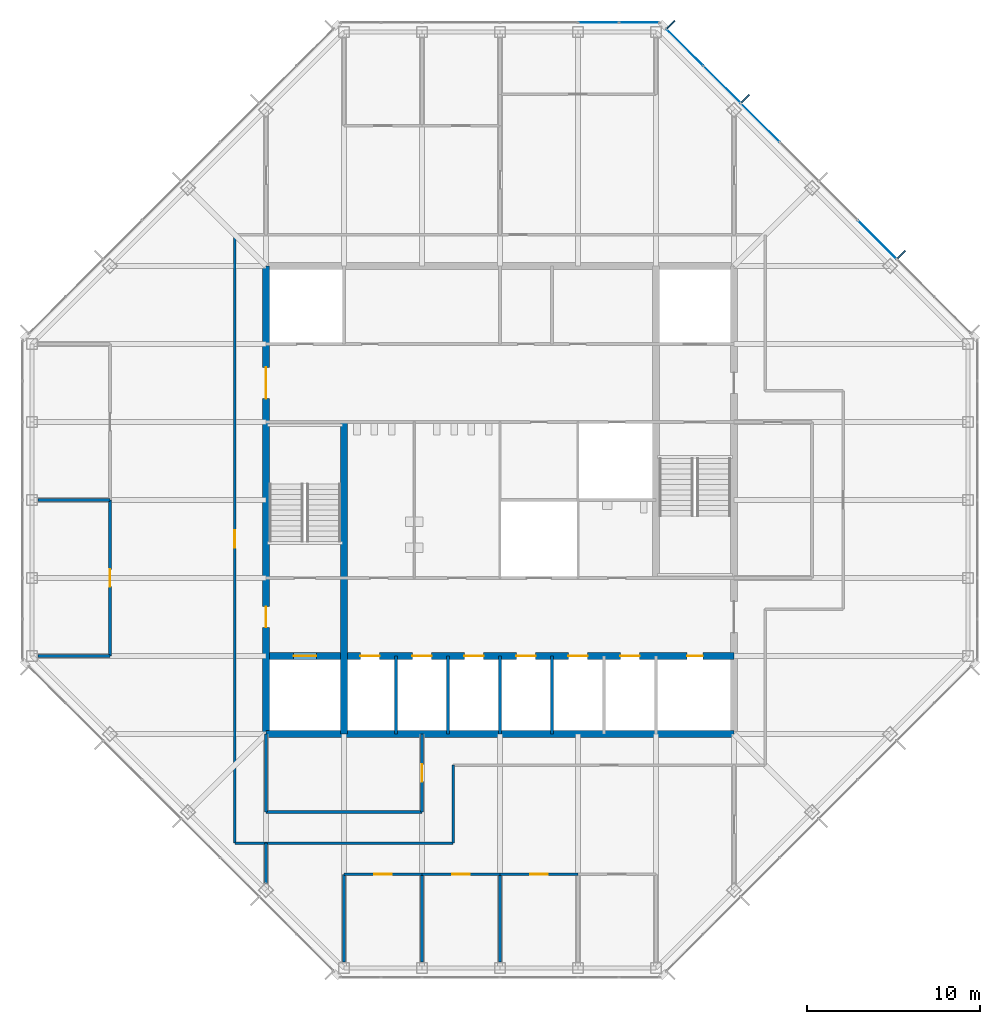
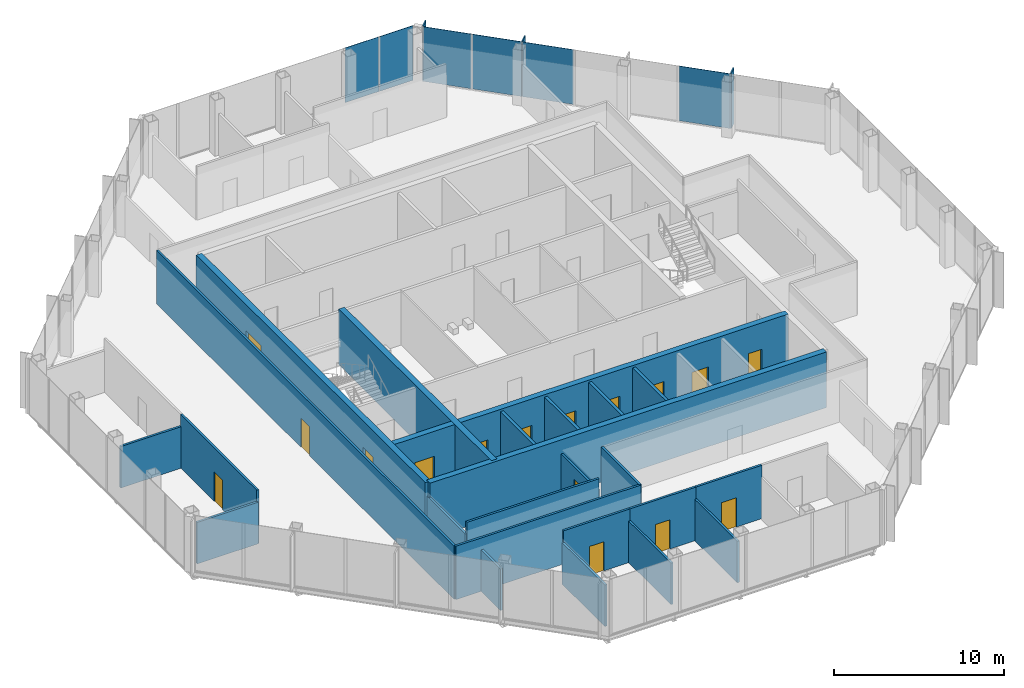
# One storey, part 9 of 13: 24 walls, 16 doors, 9 plates, 16 openings, 2 elements without a shape of their own.
"""IFC4 building model written with IfcOpenShell, lengths in metres."""

from ifc_helpers import new_model, si_unit, direction, frame, frame_2d, origin, origin_2d, place, context, subcontext, project, spatial, rectangle, extrude, material, layer, layer_set, type_object, element, fill, aggregate, save


model = new_model("IFC4")

# Units and contexts
model_context = context("Model", 3, precision=1e-05, world=origin(), true_north=direction((0.0, 1.0)))
body_context = subcontext(model_context, "Body", "Model", "MODEL_VIEW")
ifc_project = project(units=[si_unit("LENGTHUNIT", "METRE"), si_unit("AREAUNIT", "SQUARE_METRE"), si_unit("VOLUMEUNIT", "CUBIC_METRE"), si_unit("PLANEANGLEUNIT", "RADIAN"), si_unit("MASSUNIT", "GRAM", prefix="KILO")], contexts=[model_context])

# Site, building, storey
site_placement = place(None, origin())
site = spatial("IfcSite", under=ifc_project, at=site_placement, CompositionType="ELEMENT")
building_placement = place(site_placement, origin())
building = spatial("IfcBuilding", under=site, at=building_placement, Name="Corais Broadcast Tower", CompositionType="ELEMENT")
storey_placement = place(building_placement, frame((0.0, 0.0, 222.60009765625)))
storey = spatial("IfcBuildingStorey", under=building, at=storey_placement, Name="L51", CompositionType="ELEMENT", Elevation=222.60009765625)

# Curtain wall, plate
ifc_material_1 = material(Name="Aluminium and glass", Category="aluminium")
curtain_wall_type = type_object("IfcCurtainWallType", Name="Unitised fritted curtain wall CW3", PredefinedType="NOTDEFINED", material=ifc_material_1)
curtain_wall_1_placement = place(storey_placement, origin())
curtain_wall_1 = element("IfcCurtainWall", 1, at=curtain_wall_1_placement, inside=storey, type_object=curtain_wall_type, Name="CW3 curtain wall L51 4", PredefinedType="NOTDEFINED")
ifc_material_2 = material(Name="Ceramic-fritted laminated glass", Category="glass")
ifc_layer_1 = layer(ifc_material_2, 0.02587890625)
ifc_layer_set_1 = layer_set([ifc_layer_1], Name="Ceramic-fritted laminated glass")
plate_type_1 = type_object("IfcPlateType", Name="Fritted glass panel CW3", PredefinedType="CURTAIN_PANEL", material=ifc_layer_set_1)
plate_1_placement = place(storey_placement, frame((32.681884765625, 54.550048828125, 0.06494140625), z_axis=(0.0, 0.0, 1.0), x_axis=(1.0, 0.0, 0.0)))
plate_1 = element("IfcPlate", 2, at=plate_1_placement, type_object=plate_type_1, Name="CW3 panel 5", PredefinedType="CURTAIN_PANEL", context=body_context, shape_type="SweptSolid", body=[
    extrude(rectangle(XDim=2.298828125, YDim=0.02587890625, at=origin_2d()), origin(), (0.0, 0.0, 1.0), 3.93505859375),
])

# Curtain wall, plates
curtain_wall_2_placement = place(storey_placement, origin())
curtain_wall_2 = element("IfcCurtainWall", 3, at=curtain_wall_2_placement, inside=storey, type_object=curtain_wall_type, Name="CW3 curtain wall L51 5", PredefinedType="NOTDEFINED")
plate_2_placement = place(storey_placement, frame((37.669677734375, 53.108154296875, 0.06494140625), z_axis=(0.0, 0.0, 1.0), x_axis=(0.707106781187, -0.707106781187, 0.0)))
plate_2 = element("IfcPlate", 4, at=plate_2_placement, type_object=plate_type_1, Name="CW3 panel 1", PredefinedType="CURTAIN_PANEL", context=body_context, shape_type="SweptSolid", body=[
    extrude(rectangle(XDim=2.9482421875, YDim=0.02587890625, at=origin_2d()), origin(), (0.0, 0.0, 1.0), 3.93505859375),
])
plate_3_placement = place(storey_placement, frame((42.013916015625, 48.763916015625, 0.06494140625), z_axis=(0.0, 0.0, 1.0), x_axis=(0.707106781187, -0.707106781187, 0.0)))
plate_3 = element("IfcPlate", 5, at=plate_3_placement, type_object=plate_type_1, Name="CW3 panel 3", PredefinedType="CURTAIN_PANEL", context=body_context, shape_type="SweptSolid", body=[
    extrude(rectangle(XDim=3.116943359375, YDim=0.02587890625, at=origin_2d()), origin(), (0.0, 0.0, 1.0), 3.93505859375),
])

# Plate
ifc_material_3 = material(Name="Clear laminated glass", Category="glass")
ifc_layer_2 = layer(ifc_material_3, 0.030029296875)
ifc_layer_set_2 = layer_set([ifc_layer_2], Name="Clear laminated glass")
plate_type_2 = type_object("IfcPlateType", Name="Operable glass panel CW3", PredefinedType="CURTAIN_PANEL", material=ifc_layer_set_2)
plate_4_placement = place(storey_placement, frame((35.029541015625, 54.550048828125, 0.06494140625), z_axis=(0.0, 0.0, 1.0), x_axis=(1.0, 0.0, 0.0)))
plate_4 = element("IfcPlate", 6, at=plate_4_placement, type_object=plate_type_2, Name="CW3 operable panel 6", PredefinedType="CURTAIN_PANEL", context=body_context, shape_type="SweptSolid", body=[
    extrude(rectangle(XDim=2.266357421875, YDim=0.030029296875, at=origin_2d()), origin(), (0.0, 0.0, 1.0), 3.93505859375),
])

aggregate(curtain_wall_1, [plate_1, plate_4])

plate_5_placement = place(storey_placement, frame((39.81201171875, 50.9658203125, 0.06494140625), z_axis=(0.0, 0.0, 1.0), x_axis=(0.707106781187, -0.707106781187, 0.0)))
plate_5 = element("IfcPlate", 7, at=plate_5_placement, type_object=plate_type_2, Name="CW3 operable panel 2", PredefinedType="CURTAIN_PANEL", context=body_context, shape_type="SweptSolid", body=[
    extrude(rectangle(XDim=2.98095703125, YDim=0.030029296875, at=origin_2d()), origin(), (0.0, 0.0, 1.0), 3.93505859375),
])

plate_6_placement = place(storey_placement, frame((48.763916015625, 42.013916015625, 0.06494140625), z_axis=(0.0, 0.0, 1.0), x_axis=(0.707106781187, -0.707106781187, 0.0)))
plate_6 = element("IfcPlate", 8, at=plate_6_placement, type_object=plate_type_2, Name="CW3 operable panel 6", PredefinedType="CURTAIN_PANEL", context=body_context, shape_type="SweptSolid", body=[
    extrude(rectangle(XDim=3.116943359375, YDim=0.030029296875, at=origin_2d()), origin(), (0.0, 0.0, 1.0), 3.93505859375),
])

aggregate(curtain_wall_2, [plate_2, plate_5, plate_3, plate_6])

# Plates
ifc_material_4 = material(Name="Granite stone cladding", Category="masonry")
ifc_layer_3 = layer(ifc_material_4, 0.080078125)
ifc_layer_set_3 = layer_set([ifc_layer_3], Name="Granite stone cladding")
plate_type_3 = type_object("IfcPlateType", Name="Stone screen fin 80x600", PredefinedType="USERDEFINED", material=ifc_layer_set_3)
for number, where, z_axis, x_axis, name in (
    (9, (36.870849609375, 54.43994140625, 0.0), (0.0, 0.0, 1.0), (0.707106781187, -0.707106781187, 0.0), "SF1 stone screen fin L51"),
    (10, (41.155517578125, 50.155517578125, 0.0), (0.0, 0.0, 1.0), (0.707106781187, -0.707106781187, 0.0), "SF1 stone screen fin L51"),
    (11, (50.155517578125, 41.155517578125, 0.0), (0.0, 0.0, 1.0), (0.707106781187, -0.707106781187, 0.0), "SF1 stone screen fin L51"),
):
    element("IfcPlate", number, at=place(storey_placement, frame(where, z_axis=z_axis, x_axis=x_axis)), inside=storey, type_object=plate_type_3, Name=name, ObjectType="STONE SCREEN FIN", PredefinedType="USERDEFINED", context=body_context, shape_type="SweptSolid", body=[
        extrude(rectangle(XDim=0.080078125, YDim=0.60009765625, at=origin_2d()), origin(), (0.0, 0.0, 1.0), 4.0),
    ])

# Wall
ifc_material_5 = material(Name="Concrete C50/60", Category="concrete")
ifc_layer_4 = layer(ifc_material_5, 0.39990234375)
ifc_layer_set_4 = layer_set([ifc_layer_4], Name="Concrete C50/60")
wall_type_1 = type_object("IfcWallType", Name="Core wall 400", PredefinedType="SHEAR", material=ifc_layer_set_4)
wall_1_placement = place(storey_placement, frame((13.5, 13.5, 0.0), z_axis=(0.0, 0.0, 1.0), x_axis=(1.0, 0.0, 0.0)))
element("IfcWall", 12, at=wall_1_placement, inside=storey, type_object=wall_type_1, Name="CR400 core wall S L51", PredefinedType="SHEAR", context=body_context, shape_type="SweptSolid", body=[
    extrude(rectangle(XDim=27.0, YDim=0.39990234375, at=frame_2d((13.5, 0.0))), origin(), (0.0, 0.0, 1.0), 4.0),
])

# Wall, openings, doors
wall_2_placement = place(storey_placement, frame((13.5, 40.5, 0.0), z_axis=(0.0, 0.0, 1.0), x_axis=(0.0, -1.0, 0.0)))
wall_2 = element("IfcWall", 13, at=wall_2_placement, inside=storey, type_object=wall_type_1, Name="CR400 core wall W L51", PredefinedType="SHEAR", context=body_context, shape_type="SweptSolid", body=[
    extrude(rectangle(XDim=27.0, YDim=0.39990234375, at=frame_2d((13.5, 0.0))), origin(), (0.0, 0.0, 1.0), 4.0),
])
opening_1_placement = place(wall_2_placement, frame((19.64990234375, 0.0, 0.0)))
opening_1 = element("IfcOpeningElement", 14, at=opening_1_placement, cuts=wall_2, Name="Opening FD1", PredefinedType="OPENING", context=body_context, shape_type="SweptSolid", body=[
    extrude(rectangle(XDim=1.199951171875, YDim=2.10009765625, at=frame_2d((0.60009765625, 1.050048828125))), frame((0.0, 0.2099609375, 0.0), z_axis=(0.0, -1.0, 0.0), x_axis=(1.0, 0.0, 0.0)), (0.0, 0.0, 1.0), 0.419921875),
])
opening_2_placement = place(wall_2_placement, frame((5.85009765625, 0.0, 0.0)))
opening_2 = element("IfcOpeningElement", 15, at=opening_2_placement, cuts=wall_2, Name="Opening FD2", PredefinedType="OPENING", context=body_context, shape_type="SweptSolid", body=[
    extrude(rectangle(XDim=1.800048828125, YDim=2.10009765625, at=frame_2d((0.89990234375, 1.050048828125))), frame((0.0, 0.2099609375, 0.0), z_axis=(0.0, -1.0, 0.0), x_axis=(1.0, 0.0, 0.0)), (0.0, 0.0, 1.0), 0.419921875),
])
ifc_material_6 = material(Name="Steel fire door", Category="steel")
door_type_1 = type_object("IfcDoorType", Name="Fire door 1200x2100", OperationType="SINGLE_SWING_LEFT", PredefinedType="DOOR", material=ifc_material_6)
door_1_placement = place(opening_1_placement, origin())
door_1 = element("IfcDoor", 16, at=door_1_placement, inside=storey, type_object=door_type_1, Name="FD1 fire lobby A door L51", OperationType="SINGLE_SWING_RIGHT", OverallHeight=2.10009765625, OverallWidth=1.199951171875, PredefinedType="DOOR", context=body_context, shape_type="SweptSolid", body=[
    extrude(rectangle(XDim=1.199951171875, YDim=2.10009765625, at=frame_2d((0.60009765625, 1.050048828125))), frame((0.0, 0.02490234375, 0.0), z_axis=(0.0, -1.0, 0.0), x_axis=(1.0, 0.0, 0.0)), (0.0, 0.0, 1.0), 0.050048828125),
])
fill(opening_1, door_1)
ifc_material_7 = material(Name="Steel fire door", Category="steel")
door_type_2 = type_object("IfcDoorType", Name="Fire door pair 1800x2100", OperationType="DOUBLE_DOOR_SINGLE_SWING", PredefinedType="DOOR", material=ifc_material_7)
door_2_placement = place(opening_2_placement, origin())
door_2 = element("IfcDoor", 17, at=door_2_placement, inside=storey, type_object=door_type_2, Name="FD2 lift lobby door L51", OperationType="SINGLE_SWING_LEFT", OverallHeight=2.10009765625, OverallWidth=1.800048828125, PredefinedType="DOOR", context=body_context, shape_type="SweptSolid", body=[
    extrude(rectangle(XDim=1.800048828125, YDim=2.10009765625, at=frame_2d((0.89990234375, 1.050048828125))), frame((0.0, 0.02490234375, 0.0), z_axis=(0.0, -1.0, 0.0), x_axis=(1.0, 0.0, 0.0)), (0.0, 0.0, 1.0), 0.050048828125),
])
fill(opening_2, door_2)

# Wall
wall_3_placement = place(storey_placement, frame((18.0, 13.5, 0.0), z_axis=(0.0, 0.0, 1.0), x_axis=(0.0, 1.0, 0.0)))
element("IfcWall", 18, at=wall_3_placement, inside=storey, type_object=wall_type_1, Name="CR400 core wall X18A L51", PredefinedType="SHEAR", context=body_context, shape_type="SweptSolid", body=[
    extrude(rectangle(XDim=18.0, YDim=0.39990234375, at=frame_2d((9.0, 0.0))), origin(), (0.0, 0.0, 1.0), 4.0),
])

# Wall, openings, doors
wall_4_placement = place(storey_placement, frame((13.5, 18.0, 0.0), z_axis=(0.0, 0.0, 1.0), x_axis=(1.0, 0.0, 0.0)))
wall_4 = element("IfcWall", 19, at=wall_4_placement, inside=storey, type_object=wall_type_1, Name="CR400 core wall Y18 L51", PredefinedType="SHEAR", context=body_context, shape_type="SweptSolid", body=[
    extrude(rectangle(XDim=27.0, YDim=0.39990234375, at=frame_2d((13.5, 0.0))), origin(), (0.0, 0.0, 1.0), 4.0),
])
opening_3_placement = place(wall_4_placement, frame((24.300048828125, 0.0, 0.0)))
opening_3 = element("IfcOpeningElement", 20, at=opening_3_placement, cuts=wall_4, Name="Opening RD1", PredefinedType="OPENING", context=body_context, shape_type="SweptSolid", body=[
    extrude(rectangle(XDim=0.89990234375, YDim=2.10009765625, at=frame_2d((0.449951171875, 1.050048828125))), frame((0.0, 0.2099609375, 0.0), z_axis=(0.0, -1.0, 0.0), x_axis=(1.0, 0.0, 0.0)), (0.0, 0.0, 1.0), 0.419921875),
])
opening_4_placement = place(wall_4_placement, frame((5.449951171875, 0.0, 0.0)))
opening_4 = element("IfcOpeningElement", 21, at=opening_4_placement, cuts=wall_4, Name="Opening LD1", PredefinedType="OPENING", context=body_context, shape_type="SweptSolid", body=[
    extrude(rectangle(XDim=1.10009765625, YDim=2.10009765625, at=frame_2d((0.550048828125, 1.050048828125))), frame((0.0, 0.2099609375, 0.0), z_axis=(0.0, -1.0, 0.0), x_axis=(1.0, 0.0, 0.0)), (0.0, 0.0, 1.0), 0.419921875),
])
opening_5_placement = place(wall_4_placement, frame((8.449951171875, 0.0, 0.0)))
opening_5 = element("IfcOpeningElement", 22, at=opening_5_placement, cuts=wall_4, Name="Opening LD1", PredefinedType="OPENING", context=body_context, shape_type="SweptSolid", body=[
    extrude(rectangle(XDim=1.10009765625, YDim=2.10009765625, at=frame_2d((0.550048828125, 1.050048828125))), frame((0.0, 0.2099609375, 0.0), z_axis=(0.0, -1.0, 0.0), x_axis=(1.0, 0.0, 0.0)), (0.0, 0.0, 1.0), 0.419921875),
])
opening_6_placement = place(wall_4_placement, frame((11.449951171875, 0.0, 0.0)))
opening_6 = element("IfcOpeningElement", 23, at=opening_6_placement, cuts=wall_4, Name="Opening LD1", PredefinedType="OPENING", context=body_context, shape_type="SweptSolid", body=[
    extrude(rectangle(XDim=1.10009765625, YDim=2.10009765625, at=frame_2d((0.550048828125, 1.050048828125))), frame((0.0, 0.2099609375, 0.0), z_axis=(0.0, -1.0, 0.0), x_axis=(1.0, 0.0, 0.0)), (0.0, 0.0, 1.0), 0.419921875),
])
opening_7_placement = place(wall_4_placement, frame((14.449951171875, 0.0, 0.0)))
opening_7 = element("IfcOpeningElement", 24, at=opening_7_placement, cuts=wall_4, Name="Opening LD1", PredefinedType="OPENING", context=body_context, shape_type="SweptSolid", body=[
    extrude(rectangle(XDim=1.10009765625, YDim=2.10009765625, at=frame_2d((0.550048828125, 1.050048828125))), frame((0.0, 0.2099609375, 0.0), z_axis=(0.0, -1.0, 0.0), x_axis=(1.0, 0.0, 0.0)), (0.0, 0.0, 1.0), 0.419921875),
])
opening_8_placement = place(wall_4_placement, frame((17.449951171875, 0.0, 0.0)))
opening_8 = element("IfcOpeningElement", 25, at=opening_8_placement, cuts=wall_4, Name="Opening LD1", PredefinedType="OPENING", context=body_context, shape_type="SweptSolid", body=[
    extrude(rectangle(XDim=1.10009765625, YDim=2.10009765625, at=frame_2d((0.550048828125, 1.050048828125))), frame((0.0, 0.2099609375, 0.0), z_axis=(0.0, -1.0, 0.0), x_axis=(1.0, 0.0, 0.0)), (0.0, 0.0, 1.0), 0.419921875),
])
opening_9_placement = place(wall_4_placement, frame((20.449951171875, 0.0, 0.0)))
opening_9 = element("IfcOpeningElement", 26, at=opening_9_placement, cuts=wall_4, Name="Opening LD1", PredefinedType="OPENING", context=body_context, shape_type="SweptSolid", body=[
    extrude(rectangle(XDim=1.10009765625, YDim=2.10009765625, at=frame_2d((0.550048828125, 1.050048828125))), frame((0.0, 0.2099609375, 0.0), z_axis=(0.0, -1.0, 0.0), x_axis=(1.0, 0.0, 0.0)), (0.0, 0.0, 1.0), 0.419921875),
])
opening_10_placement = place(wall_4_placement, frame((1.60009765625, 0.0, 0.0)))
opening_10 = element("IfcOpeningElement", 27, at=opening_10_placement, cuts=wall_4, Name="Opening LD2", PredefinedType="OPENING", context=body_context, shape_type="SweptSolid", body=[
    extrude(rectangle(XDim=1.300048828125, YDim=2.199951171875, at=frame_2d((0.64990234375, 1.10009765625))), frame((0.0, 0.2099609375, 0.0), z_axis=(0.0, -1.0, 0.0), x_axis=(1.0, 0.0, 0.0)), (0.0, 0.0, 1.0), 0.419921875),
])
ifc_material_8 = material(Name="Stainless steel lift door", Category="steel")
door_type_3 = type_object("IfcDoorType", Name="Lift landing door 1100x2100", OperationType="SLIDING_TO_LEFT", PredefinedType="DOOR", material=ifc_material_8)
door_3_placement = place(opening_4_placement, origin())
door_3 = element("IfcDoor", 28, at=door_3_placement, inside=storey, type_object=door_type_3, Name="LD1 PH1 landing door L51", OperationType="SLIDING_TO_LEFT", OverallHeight=2.10009765625, OverallWidth=1.10009765625, PredefinedType="DOOR", context=body_context, shape_type="SweptSolid", body=[
    extrude(rectangle(XDim=1.10009765625, YDim=2.10009765625, at=frame_2d((0.550048828125, 1.050048828125))), frame((0.0, 0.02490234375, 0.0), z_axis=(0.0, -1.0, 0.0), x_axis=(1.0, 0.0, 0.0)), (0.0, 0.0, 1.0), 0.050048828125),
])
fill(opening_4, door_3)
door_4_placement = place(opening_5_placement, origin())
door_4 = element("IfcDoor", 29, at=door_4_placement, inside=storey, type_object=door_type_3, Name="LD1 PH2 landing door L51", OperationType="SLIDING_TO_LEFT", OverallHeight=2.10009765625, OverallWidth=1.10009765625, PredefinedType="DOOR", context=body_context, shape_type="SweptSolid", body=[
    extrude(rectangle(XDim=1.10009765625, YDim=2.10009765625, at=frame_2d((0.550048828125, 1.050048828125))), frame((0.0, 0.02490234375, 0.0), z_axis=(0.0, -1.0, 0.0), x_axis=(1.0, 0.0, 0.0)), (0.0, 0.0, 1.0), 0.050048828125),
])
fill(opening_5, door_4)
door_5_placement = place(opening_6_placement, origin())
door_5 = element("IfcDoor", 30, at=door_5_placement, inside=storey, type_object=door_type_3, Name="LD1 PH3 landing door L51", OperationType="SLIDING_TO_LEFT", OverallHeight=2.10009765625, OverallWidth=1.10009765625, PredefinedType="DOOR", context=body_context, shape_type="SweptSolid", body=[
    extrude(rectangle(XDim=1.10009765625, YDim=2.10009765625, at=frame_2d((0.550048828125, 1.050048828125))), frame((0.0, 0.02490234375, 0.0), z_axis=(0.0, -1.0, 0.0), x_axis=(1.0, 0.0, 0.0)), (0.0, 0.0, 1.0), 0.050048828125),
])
fill(opening_6, door_5)
door_6_placement = place(opening_7_placement, origin())
door_6 = element("IfcDoor", 31, at=door_6_placement, inside=storey, type_object=door_type_3, Name="LD1 PH4 landing door L51", OperationType="SLIDING_TO_LEFT", OverallHeight=2.10009765625, OverallWidth=1.10009765625, PredefinedType="DOOR", context=body_context, shape_type="SweptSolid", body=[
    extrude(rectangle(XDim=1.10009765625, YDim=2.10009765625, at=frame_2d((0.550048828125, 1.050048828125))), frame((0.0, 0.02490234375, 0.0), z_axis=(0.0, -1.0, 0.0), x_axis=(1.0, 0.0, 0.0)), (0.0, 0.0, 1.0), 0.050048828125),
])
fill(opening_7, door_6)
door_7_placement = place(opening_8_placement, origin())
door_7 = element("IfcDoor", 32, at=door_7_placement, inside=storey, type_object=door_type_3, Name="LD1 PH5 landing door L51", OperationType="SLIDING_TO_LEFT", OverallHeight=2.10009765625, OverallWidth=1.10009765625, PredefinedType="DOOR", context=body_context, shape_type="SweptSolid", body=[
    extrude(rectangle(XDim=1.10009765625, YDim=2.10009765625, at=frame_2d((0.550048828125, 1.050048828125))), frame((0.0, 0.02490234375, 0.0), z_axis=(0.0, -1.0, 0.0), x_axis=(1.0, 0.0, 0.0)), (0.0, 0.0, 1.0), 0.050048828125),
])
fill(opening_8, door_7)
door_8_placement = place(opening_9_placement, origin())
door_8 = element("IfcDoor", 33, at=door_8_placement, inside=storey, type_object=door_type_3, Name="LD1 PH6 landing door L51", OperationType="SLIDING_TO_LEFT", OverallHeight=2.10009765625, OverallWidth=1.10009765625, PredefinedType="DOOR", context=body_context, shape_type="SweptSolid", body=[
    extrude(rectangle(XDim=1.10009765625, YDim=2.10009765625, at=frame_2d((0.550048828125, 1.050048828125))), frame((0.0, 0.02490234375, 0.0), z_axis=(0.0, -1.0, 0.0), x_axis=(1.0, 0.0, 0.0)), (0.0, 0.0, 1.0), 0.050048828125),
])
fill(opening_9, door_8)
ifc_material_9 = material(Name="Stainless steel lift door", Category="steel")
door_type_4 = type_object("IfcDoorType", Name="Lift landing door 1300x2200", OperationType="SLIDING_TO_LEFT", PredefinedType="DOOR", material=ifc_material_9)
door_9_placement = place(opening_10_placement, origin())
door_9 = element("IfcDoor", 34, at=door_9_placement, inside=storey, type_object=door_type_4, Name="LD2 FL1 landing door L51", OperationType="SLIDING_TO_LEFT", OverallHeight=2.199951171875, OverallWidth=1.300048828125, PredefinedType="DOOR", context=body_context, shape_type="SweptSolid", body=[
    extrude(rectangle(XDim=1.300048828125, YDim=2.199951171875, at=frame_2d((0.64990234375, 1.10009765625))), frame((0.0, 0.02490234375, 0.0), z_axis=(0.0, -1.0, 0.0), x_axis=(1.0, 0.0, 0.0)), (0.0, 0.0, 1.0), 0.050048828125),
])
fill(opening_10, door_9)
ifc_material_10 = material(Name="Steel fire door", Category="steel")
door_type_5 = type_object("IfcDoorType", Name="Riser door 900x2100", OperationType="SINGLE_SWING_LEFT", PredefinedType="DOOR", material=ifc_material_10)
door_10_placement = place(opening_3_placement, origin())
door_10 = element("IfcDoor", 35, at=door_10_placement, inside=storey, type_object=door_type_5, Name="RD1 riser door L51", OperationType="SINGLE_SWING_RIGHT", OverallHeight=2.10009765625, OverallWidth=0.89990234375, PredefinedType="DOOR", context=body_context, shape_type="SweptSolid", body=[
    extrude(rectangle(XDim=0.89990234375, YDim=2.10009765625, at=frame_2d((0.449951171875, 1.050048828125))), frame((0.0, 0.02490234375, 0.0), z_axis=(0.0, -1.0, 0.0), x_axis=(1.0, 0.0, 0.0)), (0.0, 0.0, 1.0), 0.050048828125),
])
fill(opening_3, door_10)

# Wall, opening, door
ifc_material_11 = material(Name="Gypsum board on steel studs", Category="steel")
ifc_layer_5 = layer(ifc_material_11, 0.14990234375)
ifc_layer_set_5 = layer_set([ifc_layer_5], Name="Gypsum board on steel studs")
wall_type_2 = type_object("IfcWallType", Name="Partition 150", PredefinedType="PARTITIONING", material=ifc_layer_set_5)
wall_5_placement = place(storey_placement, frame((11.699951171875, 42.300048828125, 0.0), z_axis=(0.0, 0.0, 1.0), x_axis=(0.0, -1.0, 0.0)))
wall_5 = element("IfcWall", 36, at=wall_5_placement, inside=storey, type_object=wall_type_2, Name="IW3 corridor wall L51", PredefinedType="PARTITIONING", context=body_context, shape_type="SweptSolid", body=[
    extrude(rectangle(XDim=35.10009765625, YDim=0.14990234375, at=frame_2d((17.550048828125, 0.0))), origin(), (0.0, 0.0, 1.0), 3.83984375),
])
opening_11_placement = place(wall_5_placement, frame((17.050048828125, 0.0, 0.0)))
opening_11 = element("IfcOpeningElement", 37, at=opening_11_placement, cuts=wall_5, Name="Opening D1", PredefinedType="OPENING", context=body_context, shape_type="SweptSolid", body=[
    extrude(rectangle(XDim=1.0, YDim=2.10009765625, at=frame_2d((0.5, 1.050048828125))), frame((0.0, 0.0849609375, 0.0), z_axis=(0.0, -1.0, 0.0), x_axis=(1.0, 0.0, 0.0)), (0.0, 0.0, 1.0), 0.169921875),
])
ifc_material_12 = material(Name="Timber door", Category="wood")
door_type_6 = type_object("IfcDoorType", Name="Single door 1000x2100", OperationType="SINGLE_SWING_LEFT", PredefinedType="DOOR", material=ifc_material_12)
door_11_placement = place(opening_11_placement, origin())
door_11 = element("IfcDoor", 38, at=door_11_placement, inside=storey, type_object=door_type_6, Name="D1 workplace door L51", OperationType="SINGLE_SWING_LEFT", OverallHeight=2.10009765625, OverallWidth=1.0, PredefinedType="DOOR", context=body_context, shape_type="SweptSolid", body=[
    extrude(rectangle(XDim=1.0, YDim=2.10009765625, at=frame_2d((0.5, 1.050048828125))), frame((0.0, 0.02490234375, 0.0), z_axis=(0.0, -1.0, 0.0), x_axis=(1.0, 0.0, 0.0)), (0.0, 0.0, 1.0), 0.050048828125),
])
fill(opening_11, door_11)

# Walls
wall_6_placement = place(storey_placement, frame((11.699951171875, 7.199951171875, 0.0), z_axis=(0.0, 0.0, 1.0), x_axis=(1.0, 0.0, 0.0)))
element("IfcWall", 39, at=wall_6_placement, inside=storey, type_object=wall_type_2, Name="IW3 corridor wall L51", PredefinedType="PARTITIONING", context=body_context, shape_type="SweptSolid", body=[
    extrude(rectangle(XDim=12.60009765625, YDim=0.14990234375, at=frame_2d((6.300048828125, 0.0))), origin(), (0.0, 0.0, 1.0), 3.83984375),
])
wall_7_placement = place(storey_placement, frame((24.300048828125, 7.199951171875, 0.0), z_axis=(0.0, 0.0, 1.0), x_axis=(0.0, 1.0, 0.0)))
element("IfcWall", 40, at=wall_7_placement, inside=storey, type_object=wall_type_2, Name="IW3 corridor wall L51", PredefinedType="PARTITIONING", context=body_context, shape_type="SweptSolid", body=[
    extrude(rectangle(XDim=4.5, YDim=0.14990234375, at=frame_2d((2.25, 0.0))), origin(), (0.0, 0.0, 1.0), 3.83984375),
])
wall_8_placement = place(storey_placement, frame((0.3349609375, 18.0, 0.0), z_axis=(0.0, 0.0, 1.0), x_axis=(1.0, 0.0, 0.0)))
element("IfcWall", 41, at=wall_8_placement, inside=storey, type_object=wall_type_2, Name="IW3 partition L51", PredefinedType="PARTITIONING", context=body_context, shape_type="SweptSolid", body=[
    extrude(rectangle(XDim=4.1650390625, YDim=0.14990234375, at=frame_2d((2.08251953125, 0.0))), origin(), (0.0, 0.0, 1.0), 2.989013671875),
])

# Wall, opening, door
wall_9_placement = place(storey_placement, frame((4.5, 18.0, 0.0), z_axis=(0.0, 0.0, 1.0), x_axis=(0.0, 1.0, 0.0)))
wall_9 = element("IfcWall", 42, at=wall_9_placement, inside=storey, type_object=wall_type_2, Name="IW3 partition L51", PredefinedType="PARTITIONING", context=body_context, shape_type="SweptSolid", body=[
    extrude(rectangle(XDim=9.0, YDim=0.14990234375, at=frame_2d((4.5, 0.0))), origin(), (0.0, 0.0, 1.0), 3.83984375),
])
opening_12_placement = place(wall_9_placement, frame((4.0, 0.0, 0.0)))
opening_12 = element("IfcOpeningElement", 43, at=opening_12_placement, cuts=wall_9, Name="Opening D1", PredefinedType="OPENING", context=body_context, shape_type="SweptSolid", body=[
    extrude(rectangle(XDim=1.0, YDim=2.10009765625, at=frame_2d((0.5, 1.050048828125))), frame((0.0, 0.0849609375, 0.0), z_axis=(0.0, -1.0, 0.0), x_axis=(1.0, 0.0, 0.0)), (0.0, 0.0, 1.0), 0.169921875),
])
door_12_placement = place(opening_12_placement, origin())
door_12 = element("IfcDoor", 44, at=door_12_placement, inside=storey, type_object=door_type_6, Name="D1 Office door", OperationType="SINGLE_SWING_LEFT", OverallHeight=2.10009765625, OverallWidth=1.0, PredefinedType="DOOR", context=body_context, shape_type="SweptSolid", body=[
    extrude(rectangle(XDim=1.0, YDim=2.10009765625, at=frame_2d((0.5, 1.050048828125))), frame((0.0, 0.02490234375, 0.0), z_axis=(0.0, -1.0, 0.0), x_axis=(1.0, 0.0, 0.0)), (0.0, 0.0, 1.0), 0.050048828125),
])
fill(opening_12, door_12)

# Walls
wall_10_placement = place(storey_placement, frame((4.5, 27.0, 0.0), z_axis=(0.0, 0.0, 1.0), x_axis=(-1.0, 0.0, 0.0)))
element("IfcWall", 45, at=wall_10_placement, inside=storey, type_object=wall_type_2, Name="IW3 partition L51", PredefinedType="PARTITIONING", context=body_context, shape_type="SweptSolid", body=[
    extrude(rectangle(XDim=4.1650390625, YDim=0.14990234375, at=frame_2d((2.08251953125, 0.0))), origin(), (0.0, 0.0, 1.0), 2.989013671875),
])
wall_11_placement = place(storey_placement, frame((22.5, 0.3349609375, 0.0), z_axis=(0.0, 0.0, 1.0), x_axis=(0.0, 1.0, 0.0)))
element("IfcWall", 46, at=wall_11_placement, inside=storey, type_object=wall_type_2, Name="IW3 partition L51", PredefinedType="PARTITIONING", context=body_context, shape_type="SweptSolid", body=[
    extrude(rectangle(XDim=5.06494140625, YDim=0.14990234375, at=frame_2d((2.532470703125, 0.0))), origin(), (0.0, 0.0, 1.0), 2.989013671875),
])

# Wall, opening, door
wall_12_placement = place(storey_placement, frame((22.5, 5.39990234375, 0.0), z_axis=(0.0, 0.0, 1.0), x_axis=(-1.0, 0.0, 0.0)))
wall_12 = element("IfcWall", 47, at=wall_12_placement, inside=storey, type_object=wall_type_2, Name="IW3 partition L51", PredefinedType="PARTITIONING", context=body_context, shape_type="SweptSolid", body=[
    extrude(rectangle(XDim=4.5, YDim=0.14990234375, at=frame_2d((2.25, 0.0))), origin(), (0.0, 0.0, 1.0), 3.83984375),
])
opening_13_placement = place(wall_12_placement, frame((1.75, 0.0, 0.0)))
opening_13 = element("IfcOpeningElement", 48, at=opening_13_placement, cuts=wall_12, Name="Opening D1", PredefinedType="OPENING", context=body_context, shape_type="SweptSolid", body=[
    extrude(rectangle(XDim=1.0, YDim=2.10009765625, at=frame_2d((0.5, 1.050048828125))), frame((0.0, 0.0849609375, 0.0), z_axis=(0.0, -1.0, 0.0), x_axis=(1.0, 0.0, 0.0)), (0.0, 0.0, 1.0), 0.169921875),
])
door_13_placement = place(opening_13_placement, origin())
door_13 = element("IfcDoor", 49, at=door_13_placement, inside=storey, type_object=door_type_6, Name="D1 Edit room door", OperationType="SINGLE_SWING_LEFT", OverallHeight=2.10009765625, OverallWidth=1.0, PredefinedType="DOOR", context=body_context, shape_type="SweptSolid", body=[
    extrude(rectangle(XDim=1.0, YDim=2.10009765625, at=frame_2d((0.5, 1.050048828125))), frame((0.0, 0.02490234375, 0.0), z_axis=(0.0, -1.0, 0.0), x_axis=(1.0, 0.0, 0.0)), (0.0, 0.0, 1.0), 0.050048828125),
])
fill(opening_13, door_13)

# Walls
for number, where, z_axis, x_axis, name in (
    (50, (18.0, 5.39990234375, 0.0), (0.0, 0.0, 1.0), (0.0, -1.0, 0.0), "IW3 partition L51"),
    (51, (27.0, 0.3349609375, 0.0), (0.0, 0.0, 1.0), (0.0, 1.0, 0.0), "IW3 partition L51"),
):
    element("IfcWall", number, at=place(storey_placement, frame(where, z_axis=z_axis, x_axis=x_axis)), inside=storey, type_object=wall_type_2, Name=name, PredefinedType="PARTITIONING", context=body_context, shape_type="SweptSolid", body=[
        extrude(rectangle(XDim=5.06494140625, YDim=0.14990234375, at=frame_2d((2.532470703125, 0.0))), origin(), (0.0, 0.0, 1.0), 2.989013671875),
    ])

# Wall, opening, door
wall_13_placement = place(storey_placement, frame((27.0, 5.39990234375, 0.0), z_axis=(0.0, 0.0, 1.0), x_axis=(-1.0, 0.0, 0.0)))
wall_13 = element("IfcWall", 52, at=wall_13_placement, inside=storey, type_object=wall_type_2, Name="IW3 partition L51", PredefinedType="PARTITIONING", context=body_context, shape_type="SweptSolid", body=[
    extrude(rectangle(XDim=4.5, YDim=0.14990234375, at=frame_2d((2.25, 0.0))), origin(), (0.0, 0.0, 1.0), 3.83984375),
])
opening_14_placement = place(wall_13_placement, frame((1.75, 0.0, 0.0)))
opening_14 = element("IfcOpeningElement", 53, at=opening_14_placement, cuts=wall_13, Name="Opening D1", PredefinedType="OPENING", context=body_context, shape_type="SweptSolid", body=[
    extrude(rectangle(XDim=1.0, YDim=2.10009765625, at=frame_2d((0.5, 1.050048828125))), frame((0.0, 0.0849609375, 0.0), z_axis=(0.0, -1.0, 0.0), x_axis=(1.0, 0.0, 0.0)), (0.0, 0.0, 1.0), 0.169921875),
])
door_14_placement = place(opening_14_placement, origin())
door_14 = element("IfcDoor", 54, at=door_14_placement, inside=storey, type_object=door_type_6, Name="D1 Edit room door", OperationType="SINGLE_SWING_LEFT", OverallHeight=2.10009765625, OverallWidth=1.0, PredefinedType="DOOR", context=body_context, shape_type="SweptSolid", body=[
    extrude(rectangle(XDim=1.0, YDim=2.10009765625, at=frame_2d((0.5, 1.050048828125))), frame((0.0, 0.02490234375, 0.0), z_axis=(0.0, -1.0, 0.0), x_axis=(1.0, 0.0, 0.0)), (0.0, 0.0, 1.0), 0.050048828125),
])
fill(opening_14, door_14)

wall_14_placement = place(storey_placement, frame((31.5, 5.39990234375, 0.0), z_axis=(0.0, 0.0, 1.0), x_axis=(-1.0, 0.0, 0.0)))
wall_14 = element("IfcWall", 55, at=wall_14_placement, inside=storey, type_object=wall_type_2, Name="IW3 partition L51", PredefinedType="PARTITIONING", context=body_context, shape_type="SweptSolid", body=[
    extrude(rectangle(XDim=4.5, YDim=0.14990234375, at=frame_2d((2.25, 0.0))), origin(), (0.0, 0.0, 1.0), 3.83984375),
])
opening_15_placement = place(wall_14_placement, frame((1.75, 0.0, 0.0)))
opening_15 = element("IfcOpeningElement", 56, at=opening_15_placement, cuts=wall_14, Name="Opening D1", PredefinedType="OPENING", context=body_context, shape_type="SweptSolid", body=[
    extrude(rectangle(XDim=1.0, YDim=2.10009765625, at=frame_2d((0.5, 1.050048828125))), frame((0.0, 0.0849609375, 0.0), z_axis=(0.0, -1.0, 0.0), x_axis=(1.0, 0.0, 0.0)), (0.0, 0.0, 1.0), 0.169921875),
])
door_15_placement = place(opening_15_placement, origin())
door_15 = element("IfcDoor", 57, at=door_15_placement, inside=storey, type_object=door_type_6, Name="D1 Edit room door", OperationType="SINGLE_SWING_LEFT", OverallHeight=2.10009765625, OverallWidth=1.0, PredefinedType="DOOR", context=body_context, shape_type="SweptSolid", body=[
    extrude(rectangle(XDim=1.0, YDim=2.10009765625, at=frame_2d((0.5, 1.050048828125))), frame((0.0, 0.02490234375, 0.0), z_axis=(0.0, -1.0, 0.0), x_axis=(1.0, 0.0, 0.0)), (0.0, 0.0, 1.0), 0.050048828125),
])
fill(opening_15, door_15)

# Wall
wall_15_placement = place(storey_placement, frame((13.5, 9.0, 0.0), z_axis=(0.0, 0.0, 1.0), x_axis=(1.0, 0.0, 0.0)))
element("IfcWall", 58, at=wall_15_placement, inside=storey, type_object=wall_type_2, Name="IW3 partition L51", PredefinedType="PARTITIONING", context=body_context, shape_type="SweptSolid", body=[
    extrude(rectangle(XDim=9.0, YDim=0.14990234375, at=frame_2d((4.5, 0.0))), origin(), (0.0, 0.0, 1.0), 3.83984375),
])

# Wall, opening, door
wall_16_placement = place(storey_placement, frame((22.5, 9.0, 0.0), z_axis=(0.0, 0.0, 1.0), x_axis=(0.0, 1.0, 0.0)))
wall_16 = element("IfcWall", 59, at=wall_16_placement, inside=storey, type_object=wall_type_2, Name="IW3 partition L51", PredefinedType="PARTITIONING", context=body_context, shape_type="SweptSolid", body=[
    extrude(rectangle(XDim=4.5, YDim=0.14990234375, at=frame_2d((2.25, 0.0))), origin(), (0.0, 0.0, 1.0), 2.989013671875),
])
opening_16_placement = place(wall_16_placement, frame((1.75, 0.0, 0.0)))
opening_16 = element("IfcOpeningElement", 60, at=opening_16_placement, cuts=wall_16, Name="Opening D1", PredefinedType="OPENING", context=body_context, shape_type="SweptSolid", body=[
    extrude(rectangle(XDim=1.0, YDim=2.10009765625, at=frame_2d((0.5, 1.050048828125))), frame((0.0, 0.0849609375, 0.0), z_axis=(0.0, -1.0, 0.0), x_axis=(1.0, 0.0, 0.0)), (0.0, 0.0, 1.0), 0.169921875),
])
door_16_placement = place(opening_16_placement, origin())
door_16 = element("IfcDoor", 61, at=door_16_placement, inside=storey, type_object=door_type_6, Name="D1 Interview room door", OperationType="SINGLE_SWING_LEFT", OverallHeight=2.10009765625, OverallWidth=1.0, PredefinedType="DOOR", context=body_context, shape_type="SweptSolid", body=[
    extrude(rectangle(XDim=1.0, YDim=2.10009765625, at=frame_2d((0.5, 1.050048828125))), frame((0.0, 0.02490234375, 0.0), z_axis=(0.0, -1.0, 0.0), x_axis=(1.0, 0.0, 0.0)), (0.0, 0.0, 1.0), 0.050048828125),
])
fill(opening_16, door_16)

# Walls
wall_17_placement = place(storey_placement, frame((13.5, 13.5, 0.0), z_axis=(0.0, 0.0, 1.0), x_axis=(0.0, -1.0, 0.0)))
element("IfcWall", 62, at=wall_17_placement, inside=storey, type_object=wall_type_2, Name="IW3 partition L51", PredefinedType="PARTITIONING", context=body_context, shape_type="SweptSolid", body=[
    extrude(rectangle(XDim=4.5, YDim=0.14990234375, at=frame_2d((2.25, 0.0))), origin(), (0.0, 0.0, 1.0), 2.989013671875),
])
wall_18_placement = place(storey_placement, frame((13.5, 4.844970703125, 0.0), z_axis=(0.0, 0.0, 1.0), x_axis=(0.0, 1.0, 0.0)))
element("IfcWall", 63, at=wall_18_placement, inside=storey, type_object=wall_type_2, Name="IW3 partition L51", PredefinedType="PARTITIONING", context=body_context, shape_type="SweptSolid", body=[
    extrude(rectangle(XDim=2.35498046875, YDim=0.14990234375, at=frame_2d((1.177490234375, 0.0))), origin(), (0.0, 0.0, 1.0), 2.989013671875),
])
ifc_material_13 = material(Name="Concrete blockwork class A, grouted, two-hour", Category="masonry")
ifc_layer_6 = layer(ifc_material_13, 0.199951171875)
ifc_layer_set_6 = layer_set([ifc_layer_6], Name="Concrete blockwork class A, grouted, two-hour")
wall_type_3 = type_object("IfcWallType", Name="Shaft wall 200", PredefinedType="PARTITIONING", material=ifc_layer_set_6)
for number, where, z_axis, x_axis, name in (
    (64, (21.0, 13.5, 0.0), (0.0, 0.0, 1.0), (0.0, 1.0, 0.0), "IW1 shaft wall L51"),
    (65, (24.0, 13.5, 0.0), (0.0, 0.0, 1.0), (0.0, 1.0, 0.0), "IW1 shaft wall L51"),
    (66, (27.0, 13.5, 0.0), (0.0, 0.0, 1.0), (0.0, 1.0, 0.0), "IW1 shaft wall L51"),
    (67, (30.0, 13.5, 0.0), (0.0, 0.0, 1.0), (0.0, 1.0, 0.0), "IW1 shaft wall L51"),
):
    element("IfcWall", number, at=place(storey_placement, frame(where, z_axis=z_axis, x_axis=x_axis)), inside=storey, type_object=wall_type_3, Name=name, PredefinedType="PARTITIONING", context=body_context, shape_type="SweptSolid", body=[
        extrude(rectangle(XDim=4.5, YDim=0.199951171875, at=frame_2d((2.25, 0.0))), origin(), (0.0, 0.0, 1.0), 3.83984375),
    ])

save(model, "model.ifc")
